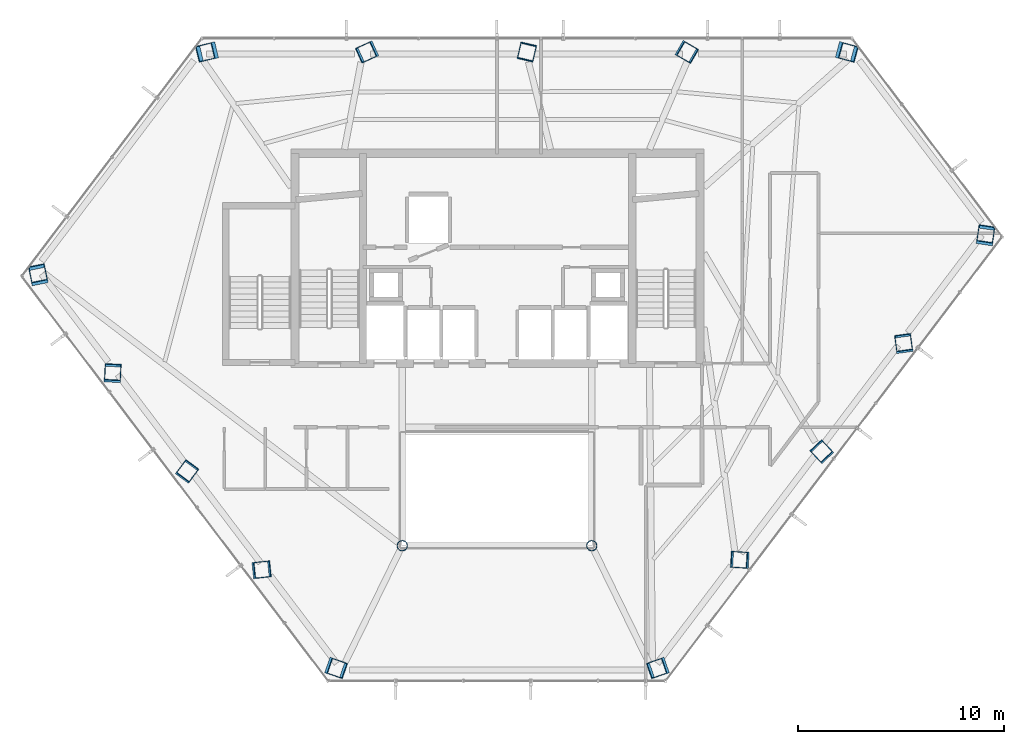
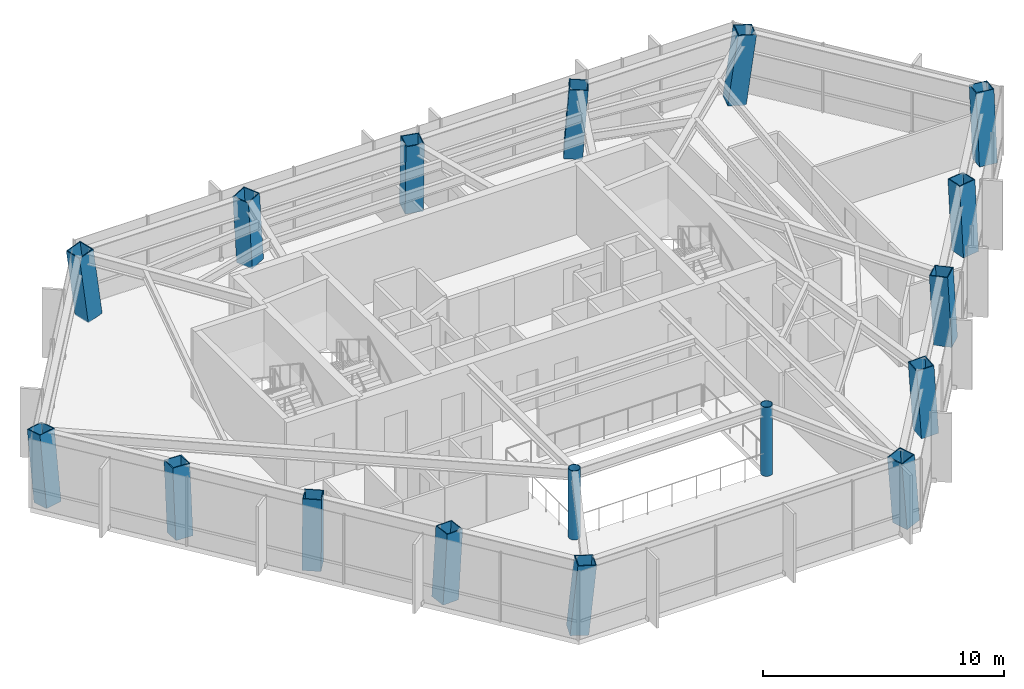
# One storey, part 1 of 28: 17 columns.
"""IFC4 building model written with IfcOpenShell, lengths in metres."""

from ifc_helpers import new_model, si_unit, direction, frame, origin, origin_2d, place, context, subcontext, project, spatial, hollow_rectangle, hollow_circle, extrude, material, material_profile, profile_set, type_object, element, save


model = new_model("IFC4")

# Units and contexts
model_context = context("Model", 3, precision=1e-05, world=origin(), true_north=direction((0.0, 1.0)))
body_context = subcontext(model_context, "Body", "Model", "MODEL_VIEW")
ifc_project = project(units=[si_unit("LENGTHUNIT", "METRE"), si_unit("AREAUNIT", "SQUARE_METRE"), si_unit("VOLUMEUNIT", "CUBIC_METRE"), si_unit("PLANEANGLEUNIT", "RADIAN"), si_unit("MASSUNIT", "GRAM", prefix="KILO")], contexts=[model_context])

# Site, building, storey
site_placement = place(None, origin())
site = spatial("IfcSite", under=ifc_project, at=site_placement, CompositionType="ELEMENT")
building_placement = place(site_placement, origin())
building = spatial("IfcBuilding", under=site, at=building_placement, Name="Zarrinselat Tower", CompositionType="ELEMENT")
storey_placement = place(building_placement, frame((0.0, 0.0, 153.340087890625)))
storey = spatial("IfcBuildingStorey", under=building, at=storey_placement, Name="L37", CompositionType="ELEMENT", Elevation=153.340087890625)

# Columns
ifc_material_1 = material(Name="Steel S355J2", Category="steel")
ifc_material_profile_1 = material_profile(ifc_material_1, hollow_circle(Radius=0.25390625, WallThickness=0.02001953125, at=origin_2d()), Name="CHS 508x20")
ifc_profile_set_1 = profile_set([ifc_material_profile_1], Name="Steel S355J2")
column_type_1 = type_object("IfcColumnType", Name="COL-CHS508", PredefinedType="COLUMN", material=ifc_profile_set_1)
for number, where, z_axis, x_axis, name in (
    (1, (33.800048828125, 24.39990234375, 0.0), (0.0, 0.0, 1.0), (1.0, 0.0, 0.0), "L37 Atrium Corner Column 1"),
    (2, (43.0, 24.39990234375, 0.0), (0.0, 0.0, 1.0), (1.0, 0.0, 0.0), "L37 Atrium Corner Column 2"),
):
    element("IfcColumn", number, at=place(storey_placement, frame(where, z_axis=z_axis, x_axis=x_axis)), inside=storey, type_object=column_type_1, Name=name, PredefinedType="COLUMN", context=body_context, shape_type="SweptSolid", body=[
        extrude(hollow_circle(Radius=0.25390625, WallThickness=0.02001953125, at=origin_2d()), origin(), (0.0, 0.0, 1.0), 3.489990234375),
    ])
ifc_material_2 = material(Name="Steel S460M", Category="steel")
ifc_material_profile_2 = material_profile(ifc_material_2, hollow_rectangle(XDim=0.800048828125, YDim=0.800048828125, WallThickness=0.0400390625, at=origin_2d()), Name="SHS 800x800x40")
ifc_profile_set_2 = profile_set([ifc_material_profile_2], Name="Steel S460M")
column_type_2 = type_object("IfcColumnType", Name="COL-SHS800", PredefinedType="COLUMN", material=ifc_profile_set_2)
column_1_placement = place(storey_placement, frame((55.309814453125, 48.38330078125, 0.0), z_axis=(0.122881872253, -0.033166309959, 0.991866947405), x_axis=(0.260579473479, 0.965452400692, 0.0)))
element("IfcColumn", 3, at=column_1_placement, inside=storey, type_object=column_type_2, Name="L37 Framed-Tube Column T01", PredefinedType="COLUMN", context=body_context, shape_type="SweptSolid", body=[
    extrude(hollow_rectangle(XDim=0.800048828125, YDim=0.800048828125, WallThickness=0.0400390625, at=origin_2d()), origin(), (0.0, 0.0, 1.0), 3.5185546875),
])
column_2_placement = place(storey_placement, frame((47.58349609375, 48.38330078125, 0.0), z_axis=(0.057932366005, -0.033363458976, 0.997762857885), x_axis=(0.499059487101, 0.866567728648, 0.0)))
element("IfcColumn", 4, at=column_2_placement, inside=storey, type_object=column_type_2, Name="L37 Framed-Tube Column T02", PredefinedType="COLUMN", context=body_context, shape_type="SweptSolid", body=[
    extrude(hollow_rectangle(XDim=0.800048828125, YDim=0.800048828125, WallThickness=0.0400390625, at=origin_2d()), origin(), (0.0, 0.0, 1.0), 3.497802734375),
])
column_3_placement = place(storey_placement, frame((39.857421875, 48.38330078125, 0.0), z_axis=(-0.007830290744, -0.033418562283, 0.999410769525), x_axis=(0.973630450451, -0.228130984206, 0.0)))
element("IfcColumn", 5, at=column_3_placement, inside=storey, type_object=column_type_2, Name="L37 Framed-Tube Column T03", PredefinedType="COLUMN", context=body_context, shape_type="SweptSolid", body=[
    extrude(hollow_rectangle(XDim=0.800048828125, YDim=0.800048828125, WallThickness=0.0400390625, at=origin_2d()), origin(), (0.0, 0.0, 1.0), 3.491943359375),
])
column_4_placement = place(storey_placement, frame((32.131103515625, 48.38330078125, 0.0), z_axis=(-0.073422265468, -0.033329385464, 0.996743860276), x_axis=(0.413346829645, -0.910573664468, 0.0)))
element("IfcColumn", 6, at=column_4_placement, inside=storey, type_object=column_type_2, Name="L37 Framed-Tube Column T04", PredefinedType="COLUMN", context=body_context, shape_type="SweptSolid", body=[
    extrude(hollow_rectangle(XDim=0.800048828125, YDim=0.800048828125, WallThickness=0.0400390625, at=origin_2d()), origin(), (0.0, 0.0, 1.0), 3.50146484375),
])
column_5_placement = place(storey_placement, frame((24.40478515625, 48.38330078125, 0.0), z_axis=(-0.138076079789, -0.033099481514, 0.98986838545), x_axis=(0.233114713248, -0.972449243132, 0.0)))
element("IfcColumn", 7, at=column_5_placement, inside=storey, type_object=column_type_2, Name="L37 Framed-Tube Column T05", PredefinedType="COLUMN", context=body_context, shape_type="SweptSolid", body=[
    extrude(hollow_rectangle(XDim=0.800048828125, YDim=0.800048828125, WallThickness=0.0400390625, at=origin_2d()), origin(), (0.0, 0.0, 1.0), 3.525634765625),
])
column_6_placement = place(storey_placement, frame((16.147216796875, 37.4833984375, 0.0), z_axis=(-0.023958954153, 0.117919722178, 0.992734056854), x_axis=(-0.979976763316, -0.199111886539, 0.0)))
element("IfcColumn", 8, at=column_6_placement, inside=storey, type_object=column_type_2, Name="L37 Framed-Tube Column T06", PredefinedType="COLUMN", context=body_context, shape_type="SweptSolid", body=[
    extrude(hollow_rectangle(XDim=0.800048828125, YDim=0.800048828125, WallThickness=0.0400390625, at=origin_2d()), origin(), (0.0, 0.0, 1.0), 3.515625),
])
column_7_placement = place(storey_placement, frame((19.74609375, 32.73291015625, 0.0), z_axis=(0.004183412915, 0.081088487001, 0.996698126983), x_axis=(-0.998671849799, 0.051522193455, 0.0)))
element("IfcColumn", 9, at=column_7_placement, inside=storey, type_object=column_type_2, Name="L37 Framed-Tube Column T07", PredefinedType="COLUMN", context=body_context, shape_type="SweptSolid", body=[
    extrude(hollow_rectangle(XDim=0.800048828125, YDim=0.800048828125, WallThickness=0.0400390625, at=origin_2d()), origin(), (0.0, 0.0, 1.0), 3.50146484375),
])
column_8_placement = place(storey_placement, frame((23.344970703125, 27.982421875, 0.0), z_axis=(0.032480365178, 0.043865955553, 0.998509290804), x_axis=(-0.80367052954, 0.595074516299, 0.0)))
element("IfcColumn", 10, at=column_8_placement, inside=storey, type_object=column_type_2, Name="L37 Framed-Tube Column T08", PredefinedType="COLUMN", context=body_context, shape_type="SweptSolid", body=[
    extrude(hollow_rectangle(XDim=0.800048828125, YDim=0.800048828125, WallThickness=0.0400390625, at=origin_2d()), origin(), (0.0, 0.0, 1.0), 3.4951171875),
])
column_9_placement = place(storey_placement, frame((26.943603515625, 23.23193359375, 0.0), z_axis=(0.060885889365, 0.006493563889, 0.998123610634), x_axis=(-0.106049948131, 0.994360803985, 0.0)))
element("IfcColumn", 11, at=column_9_placement, inside=storey, type_object=column_type_2, Name="L37 Framed-Tube Column T09", PredefinedType="COLUMN", context=body_context, shape_type="SweptSolid", body=[
    extrude(hollow_rectangle(XDim=0.800048828125, YDim=0.800048828125, WallThickness=0.0400390625, at=origin_2d()), origin(), (0.0, 0.0, 1.0), 3.49658203125),
])
for number, where, z_axis, x_axis, name in (
    (12, (30.54248046875, 18.4814453125, 0.0), (0.088935253172, -0.030852245227, 0.995559470704), (0.327745748959, 0.944765962575, 0.0), "L37 Framed-Tube Column T10"),
    (13, (46.257568359375, 18.4814453125, 0.0), (-0.088935253172, -0.030852245227, 0.995559470704), (0.327745748959, -0.944765962575, 0.0), "L37 Framed-Tube Column T11"),
):
    element("IfcColumn", number, at=place(storey_placement, frame(where, z_axis=z_axis, x_axis=x_axis)), inside=storey, type_object=column_type_2, Name=name, PredefinedType="COLUMN", context=body_context, shape_type="SweptSolid", body=[
        extrude(hollow_rectangle(XDim=0.800048828125, YDim=0.800048828125, WallThickness=0.0400390625, at=origin_2d()), origin(), (0.0, 0.0, 1.0), 3.505615234375),
    ])
column_10_placement = place(storey_placement, frame((50.220703125, 23.712890625, 0.0), z_axis=(-0.06283418608, 0.003909682689, 0.998016322232), x_axis=(-0.062102120917, -0.998069800454, 0.0)))
element("IfcColumn", 14, at=column_10_placement, inside=storey, type_object=column_type_2, Name="L37 Framed-Tube Column T12", PredefinedType="COLUMN", context=body_context, shape_type="SweptSolid", body=[
    extrude(hollow_rectangle(XDim=0.800048828125, YDim=0.800048828125, WallThickness=0.0400390625, at=origin_2d()), origin(), (0.0, 0.0, 1.0), 3.496826171875),
])
column_11_placement = place(storey_placement, frame((54.183837890625, 28.944091796875, 0.0), z_axis=(-0.036464506977, 0.03876973443, 0.998582619227), x_axis=(-0.728431141905, -0.685119019954, 0.0)))
element("IfcColumn", 15, at=column_11_placement, inside=storey, type_object=column_type_2, Name="L37 Framed-Tube Column T13", PredefinedType="COLUMN", context=body_context, shape_type="SweptSolid", body=[
    extrude(hollow_rectangle(XDim=0.800048828125, YDim=0.800048828125, WallThickness=0.0400390625, at=origin_2d()), origin(), (0.0, 0.0, 1.0), 3.494873046875),
])
column_12_placement = place(storey_placement, frame((58.14697265625, 34.175537109375, 0.0), z_axis=(-0.010045726228, 0.073459373045, 0.997247614134), x_axis=(-0.990778565397, -0.135491085866, 0.0)))
element("IfcColumn", 16, at=column_12_placement, inside=storey, type_object=column_type_2, Name="L37 Framed-Tube Column T14", PredefinedType="COLUMN", context=body_context, shape_type="SweptSolid", body=[
    extrude(hollow_rectangle(XDim=0.800048828125, YDim=0.800048828125, WallThickness=0.0400390625, at=origin_2d()), origin(), (0.0, 0.0, 1.0), 3.49951171875),
])
column_13_placement = place(storey_placement, frame((62.110107421875, 39.406982421875, 0.0), z_axis=(0.01620217777, 0.107852264901, 0.994034897975), x_axis=(-0.988903591842, 0.148558695615, 0.0)))
element("IfcColumn", 17, at=column_13_placement, inside=storey, type_object=column_type_2, Name="L37 Framed-Tube Column T15", PredefinedType="COLUMN", context=body_context, shape_type="SweptSolid", body=[
    extrude(hollow_rectangle(XDim=0.800048828125, YDim=0.800048828125, WallThickness=0.0400390625, at=origin_2d()), origin(), (0.0, 0.0, 1.0), 3.510986328125),
])

save(model, "model.ifc")
